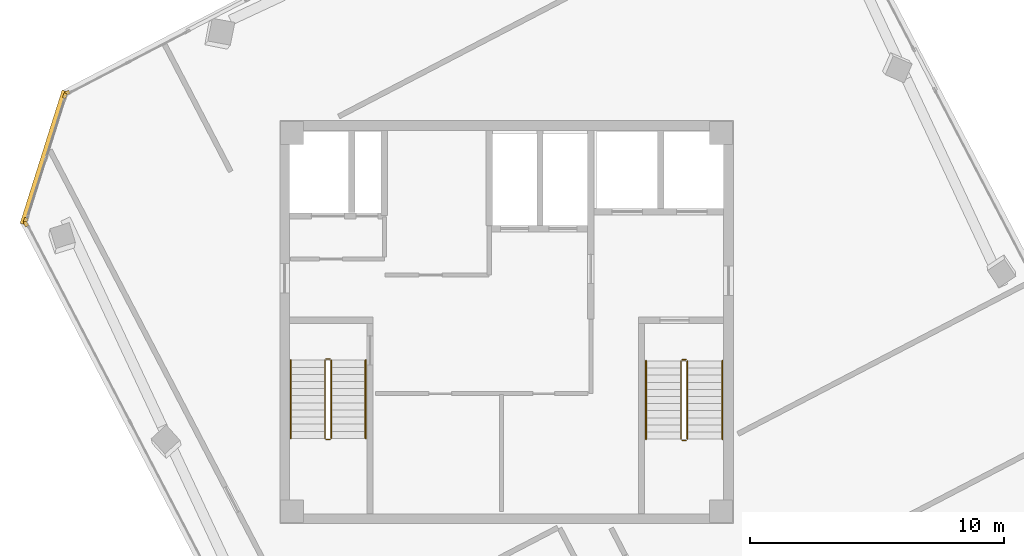
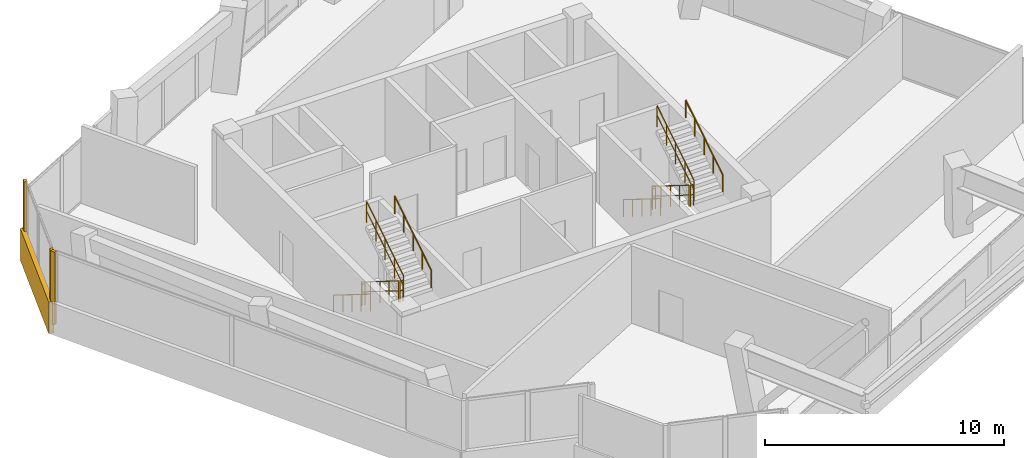
# One storey, part 15 of 16: 12 railings, 5 coverings.
"""IFC4 building model written with IfcOpenShell, lengths in metres."""

import ifcopenshell
import ifcopenshell.guid

model = None  # the IFC model being written
_history = None  # IfcOwnerHistory: only IFC2X3 demands one
_inside = {}  # id of a spatial element -> (the spatial element, [elements in it])
_under = {}  # id of a project, library or spatial element -> (it, [spatial elements below it])
_declared = {}  # id of a project -> (the project, [libraries it declares])
_typed = {}  # id of a type object -> (the type object, [elements of that type])
_made_of = {}  # id of a material, layer set ... -> (it, [elements and type objects made of it])


def new_model(schema):
    """Start an empty IFC model of exactly this schema.

    Asked for "IFC4X3", IfcOpenShell would pick the latest addendum, in which some entities
    have other attributes; the version numbers below select the first issue.
    IFC2X3 requires an IfcOwnerHistory on every rooted entity: one is made here for all.
    """
    global model, _history
    if schema == "IFC4X3":
        model = ifcopenshell.file(schema_version=(4, 3, 0, 0))
    else:
        model = ifcopenshell.file(schema=schema)
    _inside.clear()
    _under.clear()
    _declared.clear()
    _typed.clear()
    _made_of.clear()
    _history = None
    if model.schema == "IFC2X3":
        org = make("IfcOrganization", Name="unknown")
        user = make(
            "IfcPersonAndOrganization",
            ThePerson=make("IfcPerson", FamilyName="unknown"),
            TheOrganization=org,
        )
        app = make(
            "IfcApplication",
            ApplicationDeveloper=org,
            Version="unknown",
            ApplicationFullName="unknown",
            ApplicationIdentifier="unknown",
        )
        _history = make(
            "IfcOwnerHistory",
            OwningUser=user,
            OwningApplication=app,
            ChangeAction="ADDED",
            CreationDate=0,
        )
    return model


def make(cls, **values):
    """One entity of the class cls with the attributes given. An attribute that is None is left unset."""
    return model.create_entity(
        cls, **{name: value for name, value in values.items() if value is not None}
    )


def rooted(cls, **values):
    """An entity with a GlobalId (a new one), such as an element, a storey or a relation."""
    return make(cls, GlobalId=ifcopenshell.guid.new(), OwnerHistory=_history, **values)


def si_unit(unit_type, name, prefix=None):
    """IfcSIUnit, for example si_unit("LENGTHUNIT", "METRE", prefix="MILLI")."""
    return make("IfcSIUnit", UnitType=unit_type, Prefix=prefix, Name=name)


def assignment(units):
    """IfcUnitAssignment: the units of a project."""
    return None if units is None else make("IfcUnitAssignment", Units=units)


def point(xyz):
    """IfcCartesianPoint."""
    return None if xyz is None else make("IfcCartesianPoint", Coordinates=xyz)


def direction(xyz):
    """IfcDirection."""
    return None if xyz is None else make("IfcDirection", DirectionRatios=xyz)


def frame(location, z_axis=None, x_axis=None):
    """IfcAxis2Placement3D, a coordinate frame: its origin and axes. An axis left out is left unset."""
    return make(
        "IfcAxis2Placement3D",
        Location=point(location),
        Axis=direction(z_axis),
        RefDirection=direction(x_axis),
    )


def frame_2d(location, x_axis=None):
    """IfcAxis2Placement2D, a coordinate frame in the plane: its origin and x axis."""
    return make(
        "IfcAxis2Placement2D", Location=point(location), RefDirection=direction(x_axis)
    )


def origin():
    """The frame at (0, 0, 0) with its axes left unset."""
    return frame((0.0, 0.0, 0.0))


def origin_2d():
    """The frame at (0, 0) in the plane with its x axis left unset."""
    return frame_2d((0.0, 0.0))


def place(relative_to, where):
    """IfcLocalPlacement: puts the frame where relative to a parent placement (None: the world)."""
    return make(
        "IfcLocalPlacement", PlacementRelTo=relative_to, RelativePlacement=where
    )


def context(
    kind, dimensions, precision=None, world=None, true_north=None, identifier=None
):
    """IfcGeometricRepresentationContext, for example the 3D "Model" context."""
    return make(
        "IfcGeometricRepresentationContext",
        ContextIdentifier=identifier,
        ContextType=kind,
        CoordinateSpaceDimension=dimensions,
        Precision=precision,
        WorldCoordinateSystem=world,
        TrueNorth=true_north,
    )


def subcontext(parent, identifier, kind, view, scale=None):
    """IfcGeometricRepresentationSubContext, for example "Body" below "Model"."""
    return make(
        "IfcGeometricRepresentationSubContext",
        ContextIdentifier=identifier,
        ContextType=kind,
        ParentContext=parent,
        TargetScale=scale,
        TargetView=view,
    )


def project(units=None, contexts=None):
    """IfcProject with its units and contexts."""
    return rooted(
        "IfcProject",
        Name="project",
        RepresentationContexts=contexts,
        UnitsInContext=assignment(units),
    )


def spatial(cls, under=None, at=None, **own):
    """A site, building, storey or space (cls), placed at a placement, below another one or the project."""
    s = rooted(cls, ObjectPlacement=at, **own)
    if under is not None:
        _under.setdefault(under.id(), (under, []))[1].append(s)
    return s


def profile(cls, at=None, kind="AREA", **sizes):
    """A parametric profile (cls). Its sizes go by their IFC names, for example OverallWidth=200.0."""
    return make(cls, ProfileType=kind, Position=at, **sizes)


def rectangle(**sizes):
    """IfcRectangleProfileDef."""
    return profile("IfcRectangleProfileDef", **sizes)


def circle(**sizes):
    """IfcCircleProfileDef."""
    return profile("IfcCircleProfileDef", **sizes)


def extrude(swept, where, along, depth):
    """IfcExtrudedAreaSolid: the profile swept, set in the frame where, extruded along a direction by depth."""
    return make(
        "IfcExtrudedAreaSolid",
        SweptArea=swept,
        Position=where,
        ExtrudedDirection=direction(along),
        Depth=depth,
    )


def shape(context_of_items, identifier, shape_type, items):
    """IfcShapeRepresentation: the items that make up one representation, for example the "Body"."""
    return make(
        "IfcShapeRepresentation",
        ContextOfItems=context_of_items,
        RepresentationIdentifier=identifier,
        RepresentationType=shape_type,
        Items=items,
    )


def source(mapping_origin, context_of_items, identifier, shape_type, items):
    """IfcRepresentationMap: a shape defined once, which mapped items show again and again."""
    return make(
        "IfcRepresentationMap",
        MappingOrigin=mapping_origin,
        MappedRepresentation=shape(context_of_items, identifier, shape_type, items),
    )


def transform(
    local_origin,
    x_axis=None,
    y_axis=None,
    z_axis=None,
    scale=None,
    scale2=None,
    scale3=None,
    uniform=True,
):
    """IfcCartesianTransformationOperator3D, or its non-uniform kind. x_axis, y_axis, z_axis: its Axis1, 2, 3."""
    if uniform:
        return make(
            "IfcCartesianTransformationOperator3D",
            Axis1=direction(x_axis),
            Axis2=direction(y_axis),
            LocalOrigin=point(local_origin),
            Scale=scale,
            Axis3=direction(z_axis),
        )
    return make(
        "IfcCartesianTransformationOperator3DnonUniform",
        Axis1=direction(x_axis),
        Axis2=direction(y_axis),
        LocalOrigin=point(local_origin),
        Scale=scale,
        Axis3=direction(z_axis),
        Scale2=scale2,
        Scale3=scale3,
    )


def mapped(mapping_source, mapping_target):
    """IfcMappedItem: shows the shape of a source again, moved by a transform."""
    return make(
        "IfcMappedItem", MappingSource=mapping_source, MappingTarget=mapping_target
    )


def material(Name=None, Category=None):
    """IfcMaterial."""
    return make("IfcMaterial", Name=Name, Category=Category)


def layer(
    of_material, thickness, ventilated=None, Name=None, Category=None, Priority=None
):
    """IfcMaterialLayer: one layer of a wall or slab, of a material (None: an air gap)."""
    return make(
        "IfcMaterialLayer",
        Material=of_material,
        LayerThickness=thickness,
        IsVentilated=ventilated,
        Name=Name,
        Category=Category,
        Priority=Priority,
    )


def layer_set(layers, Name=None):
    """IfcMaterialLayerSet."""
    return make("IfcMaterialLayerSet", MaterialLayers=layers, LayerSetName=Name)


def made_of(thing, what):
    """Note that an element or type object is made of a material, layer set ...; save() writes the relation."""
    if what is not None:
        _made_of.setdefault(what.id(), (what, []))[1].append(thing)
    return thing


def type_object(cls, material=None, **own):
    """A type object (cls), such as IfcWallType, which elements share."""
    return made_of(rooted(cls, **own), material)


def element(
    cls,
    number,
    at=None,
    inside=None,
    cuts=None,
    type_object=None,
    material=None,
    context=None,
    identifier="Body",
    shape_type=None,
    held_by="IfcProductDefinitionShape",
    body=None,
    shapes=None,
    **own,
):
    """One element of the class cls, such as IfcWall. Its Tag is "e" and its number.

    at: its placement. inside: the storey or other place that contains it. cuts: it is an
    opening in that element (IfcRelVoidsElement). A single representation is given by context,
    identifier, shape_type and body (its items); several are given by shapes. held_by: the class
    of the entity that holds the representations. save() writes the other relations.
    """
    e = rooted(cls, Tag="e%d" % number, ObjectPlacement=at, **own)
    if body is not None:
        shapes = [shape(context, identifier, shape_type, body)]
    if shapes is not None:
        e.Representation = make(held_by, Representations=shapes)
    if inside is not None:
        _inside.setdefault(inside.id(), (inside, []))[1].append(e)
    if cuts is not None:
        rooted(
            "IfcRelVoidsElement", RelatingBuildingElement=cuts, RelatedOpeningElement=e
        )
    if type_object is not None:
        _typed.setdefault(type_object.id(), (type_object, []))[1].append(e)
    return made_of(e, material)


def aggregate(whole, parts):
    """IfcRelAggregates: a whole, such as a stair, and the parts it consists of."""
    return rooted("IfcRelAggregates", RelatingObject=whole, RelatedObjects=parts)


def save(model, path):
    """Write the relations noted so far, then the file.

    IfcRelAggregates (storeys below a building ...), IfcRelContainedInSpatialStructure (elements
    in a storey), IfcRelDefinesByType, IfcRelAssociatesMaterial and IfcRelDeclares: one each for
    every whole, place, type object, material and project.
    """
    for whole, parts in _under.values():
        aggregate(whole, parts)
    for where, things in _inside.values():
        rooted(
            "IfcRelContainedInSpatialStructure",
            RelatedElements=things,
            RelatingStructure=where,
        )
    for kind, things in _typed.values():
        rooted("IfcRelDefinesByType", RelatedObjects=things, RelatingType=kind)
    for what, things in _made_of.values():
        rooted("IfcRelAssociatesMaterial", RelatedObjects=things, RelatingMaterial=what)
    for by, libraries in _declared.values():
        rooted("IfcRelDeclares", RelatingContext=by, RelatedDefinitions=libraries)
    model.write(path)


model = new_model("IFC4")

# Units and contexts
model_context = context("Model", 3, precision=1e-05, world=origin(), true_north=direction((0.0, 1.0)))
body_context = subcontext(model_context, "Body", "Model", "MODEL_VIEW")
ifc_project = project(units=[si_unit("LENGTHUNIT", "METRE"), si_unit("AREAUNIT", "SQUARE_METRE"), si_unit("VOLUMEUNIT", "CUBIC_METRE"), si_unit("PLANEANGLEUNIT", "RADIAN"), si_unit("MASSUNIT", "GRAM", prefix="KILO")], contexts=[model_context])

# Site, building, storey
site_placement = place(None, origin())
site = spatial("IfcSite", under=ifc_project, at=site_placement, CompositionType="ELEMENT")
building_placement = place(site_placement, origin())
building = spatial("IfcBuilding", under=site, at=building_placement, Name="Torre Montelarca", CompositionType="ELEMENT")
storey_placement = place(building_placement, frame((0.0, 0.0, 336.60009765625)))
storey = spatial("IfcBuildingStorey", under=building, at=storey_placement, Name="L76", CompositionType="ELEMENT", Elevation=336.60009765625)

# Railings
ifc_material_1 = material(Name="Powder-coated steel ASTM A500 Grade C", Category="steel")
railing_type_1 = type_object("IfcRailingType", Name="RL-GUARD-1100", PredefinedType="BALUSTRADE", material=ifc_material_1)
railing_1_placement = place(storey_placement, frame((10.85009765625, 30.5, 0.1748046875)))
element("IfcRailing", 1, at=railing_1_placement, inside=storey, type_object=railing_type_1, Name="L76 ST1 stair guard 1", PredefinedType="BALUSTRADE", context=body_context, shape_type="SweptSolid", body=[
    extrude(circle(Radius=0.02392578125, at=origin_2d()), frame((0.0, 0.0, 1.076171875), z_axis=(0.0, -0.847998304005, 0.529998940003), x_axis=(1.0, 0.0, 0.0)), (0.0, 0.0, 1.0), 3.632080078125),
    extrude(circle(Radius=0.02099609375, at=origin_2d()), frame((0.0, 0.0, 0.572021484375), z_axis=(0.0, -0.847998304005, 0.529998940003), x_axis=(1.0, 0.0, 0.0)), (0.0, 0.0, 1.0), 3.632080078125),
    extrude(circle(Radius=0.02099609375, at=origin_2d()), origin(), (0.0, 0.0, 1.0), 1.052001953125),
    extrude(circle(Radius=0.02099609375, at=origin_2d()), frame((0.0, -0.77001953125, 0.481201171875)), (0.0, 0.0, 1.0), 1.052001953125),
    extrude(circle(Radius=0.02099609375, at=origin_2d()), frame((0.0, -1.5400390625, 0.96240234375)), (0.0, 0.0, 1.0), 1.052001953125),
    extrude(circle(Radius=0.02099609375, at=origin_2d()), frame((0.0, -2.31005859375, 1.44384765625)), (0.0, 0.0, 1.0), 1.052001953125),
    extrude(circle(Radius=0.02099609375, at=origin_2d()), frame((0.0, -3.080078125, 1.925048828125)), (0.0, 0.0, 1.0), 1.052001953125),
])
railing_2_placement = place(storey_placement, frame((10.89990234375, 27.3701171875, 2.099853515625)))
element("IfcRailing", 2, at=railing_2_placement, inside=storey, type_object=railing_type_1, Name="L76 ST1 stair guard 2", PredefinedType="BALUSTRADE", context=body_context, shape_type="SweptSolid", body=[
    extrude(circle(Radius=0.02392578125, at=origin_2d()), frame((0.0, 0.0, 1.076171875), z_axis=(1.0, 0.0, 0.0), x_axis=(0.0, 1.0, 0.0)), (0.0, 0.0, 1.0), 0.150146484375),
    extrude(circle(Radius=0.02099609375, at=origin_2d()), frame((0.0, 0.0, 0.572021484375), z_axis=(1.0, 0.0, 0.0), x_axis=(0.0, 1.0, 0.0)), (0.0, 0.0, 1.0), 0.150146484375),
    extrude(circle(Radius=0.02099609375, at=origin_2d()), origin(), (0.0, 0.0, 1.0), 1.052001953125),
    extrude(circle(Radius=0.02099609375, at=origin_2d()), frame((0.150146484375, 0.0, 0.0)), (0.0, 0.0, 1.0), 1.052001953125),
])
railing_3_placement = place(storey_placement, frame((11.10009765625, 27.419921875, 2.27490234375)))
element("IfcRailing", 3, at=railing_3_placement, inside=storey, type_object=railing_type_1, Name="L76 ST1 stair guard 3", PredefinedType="BALUSTRADE", context=body_context, shape_type="SweptSolid", body=[
    extrude(circle(Radius=0.02392578125, at=origin_2d()), frame((0.0, 0.0, 1.076171875), z_axis=(0.0, 0.847998304005, 0.529998940003), x_axis=(-1.0, 0.0, 0.0)), (0.0, 0.0, 1.0), 3.632080078125),
    extrude(circle(Radius=0.02099609375, at=origin_2d()), frame((0.0, 0.0, 0.572021484375), z_axis=(0.0, 0.847998304005, 0.529998940003), x_axis=(-1.0, 0.0, 0.0)), (0.0, 0.0, 1.0), 3.632080078125),
    extrude(circle(Radius=0.02099609375, at=origin_2d()), origin(), (0.0, 0.0, 1.0), 1.052001953125),
    extrude(circle(Radius=0.02099609375, at=origin_2d()), frame((0.0, 0.77001953125, 0.481201171875)), (0.0, 0.0, 1.0), 1.052001953125),
    extrude(circle(Radius=0.02099609375, at=origin_2d()), frame((0.0, 1.5400390625, 0.96240234375)), (0.0, 0.0, 1.0), 1.052001953125),
    extrude(circle(Radius=0.02099609375, at=origin_2d()), frame((0.0, 2.31005859375, 1.44384765625)), (0.0, 0.0, 1.0), 1.052001953125),
    extrude(circle(Radius=0.02099609375, at=origin_2d()), frame((0.0, 3.080078125, 1.925048828125)), (0.0, 0.0, 1.0), 1.052001953125),
])
railing_4_placement = place(storey_placement, frame((10.89990234375, 30.550048828125, 0.0)))
element("IfcRailing", 4, at=railing_4_placement, inside=storey, type_object=railing_type_1, Name="L76 ST1 stair guard 4", PredefinedType="BALUSTRADE", context=body_context, shape_type="SweptSolid", body=[
    extrude(circle(Radius=0.02392578125, at=origin_2d()), frame((0.0, 0.0, 1.076171875), z_axis=(1.0, 0.0, 0.0), x_axis=(0.0, 1.0, 0.0)), (0.0, 0.0, 1.0), 0.150146484375),
    extrude(circle(Radius=0.02099609375, at=origin_2d()), frame((0.0, 0.0, 0.572021484375), z_axis=(1.0, 0.0, 0.0), x_axis=(0.0, 1.0, 0.0)), (0.0, 0.0, 1.0), 0.150146484375),
    extrude(circle(Radius=0.02099609375, at=origin_2d()), origin(), (0.0, 0.0, 1.0), 1.052001953125),
    extrude(circle(Radius=0.02099609375, at=origin_2d()), frame((0.150146484375, 0.0, 0.0)), (0.0, 0.0, 1.0), 1.052001953125),
])
railing_5_placement = place(storey_placement, frame((24.8701171875, 30.469970703125, 0.1748046875)))
element("IfcRailing", 5, at=railing_5_placement, inside=storey, type_object=railing_type_1, Name="L76 ST2 stair guard 1", PredefinedType="BALUSTRADE", context=body_context, shape_type="SweptSolid", body=[
    extrude(circle(Radius=0.02392578125, at=origin_2d()), frame((0.0, 0.0, 1.076171875), z_axis=(0.0, -0.847998304005, 0.529998940003), x_axis=(1.0, 0.0, 0.0)), (0.0, 0.0, 1.0), 3.632080078125),
    extrude(circle(Radius=0.02099609375, at=origin_2d()), frame((0.0, 0.0, 0.572021484375), z_axis=(0.0, -0.847998304005, 0.529998940003), x_axis=(1.0, 0.0, 0.0)), (0.0, 0.0, 1.0), 3.632080078125),
    extrude(circle(Radius=0.02099609375, at=origin_2d()), origin(), (0.0, 0.0, 1.0), 1.052001953125),
    extrude(circle(Radius=0.02099609375, at=origin_2d()), frame((0.0, -0.77001953125, 0.481201171875)), (0.0, 0.0, 1.0), 1.052001953125),
    extrude(circle(Radius=0.02099609375, at=origin_2d()), frame((0.0, -1.5400390625, 0.96240234375)), (0.0, 0.0, 1.0), 1.052001953125),
    extrude(circle(Radius=0.02099609375, at=origin_2d()), frame((0.0, -2.31005859375, 1.44384765625)), (0.0, 0.0, 1.0), 1.052001953125),
    extrude(circle(Radius=0.02099609375, at=origin_2d()), frame((0.0, -3.080078125, 1.925048828125)), (0.0, 0.0, 1.0), 1.052001953125),
])
railing_6_placement = place(storey_placement, frame((24.919921875, 27.340087890625, 2.099853515625)))
element("IfcRailing", 6, at=railing_6_placement, inside=storey, type_object=railing_type_1, Name="L76 ST2 stair guard 2", PredefinedType="BALUSTRADE", context=body_context, shape_type="SweptSolid", body=[
    extrude(circle(Radius=0.02392578125, at=origin_2d()), frame((0.0, 0.0, 1.076171875), z_axis=(1.0, 0.0, 0.0), x_axis=(0.0, 1.0, 0.0)), (0.0, 0.0, 1.0), 0.150146484375),
    extrude(circle(Radius=0.02099609375, at=origin_2d()), frame((0.0, 0.0, 0.572021484375), z_axis=(1.0, 0.0, 0.0), x_axis=(0.0, 1.0, 0.0)), (0.0, 0.0, 1.0), 0.150146484375),
    extrude(circle(Radius=0.02099609375, at=origin_2d()), origin(), (0.0, 0.0, 1.0), 1.052001953125),
    extrude(circle(Radius=0.02099609375, at=origin_2d()), frame((0.150146484375, 0.0, 0.0)), (0.0, 0.0, 1.0), 1.052001953125),
])
railing_7_placement = place(storey_placement, frame((25.1201171875, 27.389892578125, 2.27490234375)))
element("IfcRailing", 7, at=railing_7_placement, inside=storey, type_object=railing_type_1, Name="L76 ST2 stair guard 3", PredefinedType="BALUSTRADE", context=body_context, shape_type="SweptSolid", body=[
    extrude(circle(Radius=0.02392578125, at=origin_2d()), frame((0.0, 0.0, 1.076171875), z_axis=(0.0, 0.847998304005, 0.529998940003), x_axis=(-1.0, 0.0, 0.0)), (0.0, 0.0, 1.0), 3.632080078125),
    extrude(circle(Radius=0.02099609375, at=origin_2d()), frame((0.0, 0.0, 0.572021484375), z_axis=(0.0, 0.847998304005, 0.529998940003), x_axis=(-1.0, 0.0, 0.0)), (0.0, 0.0, 1.0), 3.632080078125),
    extrude(circle(Radius=0.02099609375, at=origin_2d()), origin(), (0.0, 0.0, 1.0), 1.052001953125),
    extrude(circle(Radius=0.02099609375, at=origin_2d()), frame((0.0, 0.77001953125, 0.481201171875)), (0.0, 0.0, 1.0), 1.052001953125),
    extrude(circle(Radius=0.02099609375, at=origin_2d()), frame((0.0, 1.5400390625, 0.96240234375)), (0.0, 0.0, 1.0), 1.052001953125),
    extrude(circle(Radius=0.02099609375, at=origin_2d()), frame((0.0, 2.31005859375, 1.44384765625)), (0.0, 0.0, 1.0), 1.052001953125),
    extrude(circle(Radius=0.02099609375, at=origin_2d()), frame((0.0, 3.080078125, 1.925048828125)), (0.0, 0.0, 1.0), 1.052001953125),
])
railing_8_placement = place(storey_placement, frame((24.919921875, 30.52001953125, 0.0)))
element("IfcRailing", 8, at=railing_8_placement, inside=storey, type_object=railing_type_1, Name="L76 ST2 stair guard 4", PredefinedType="BALUSTRADE", context=body_context, shape_type="SweptSolid", body=[
    extrude(circle(Radius=0.02392578125, at=origin_2d()), frame((0.0, 0.0, 1.076171875), z_axis=(1.0, 0.0, 0.0), x_axis=(0.0, 1.0, 0.0)), (0.0, 0.0, 1.0), 0.150146484375),
    extrude(circle(Radius=0.02099609375, at=origin_2d()), frame((0.0, 0.0, 0.572021484375), z_axis=(1.0, 0.0, 0.0), x_axis=(0.0, 1.0, 0.0)), (0.0, 0.0, 1.0), 0.150146484375),
    extrude(circle(Radius=0.02099609375, at=origin_2d()), origin(), (0.0, 0.0, 1.0), 1.052001953125),
    extrude(circle(Radius=0.02099609375, at=origin_2d()), frame((0.150146484375, 0.0, 0.0)), (0.0, 0.0, 1.0), 1.052001953125),
])
ifc_material_2 = material(Name="Brushed stainless steel AISI 316", Category="steel")
railing_type_2 = type_object("IfcRailingType", Name="RL-HANDRAIL-900", PredefinedType="HANDRAIL", material=ifc_material_2)
railing_9_placement = place(storey_placement, frame((9.5, 30.5, 0.1748046875)))
element("IfcRailing", 9, at=railing_9_placement, inside=storey, type_object=railing_type_2, Name="L76 ST1 stair handrail 1", PredefinedType="HANDRAIL", context=body_context, shape_type="SweptSolid", body=[
    extrude(circle(Radius=0.02392578125, at=origin_2d()), frame((0.0, 0.0, 0.8759765625), z_axis=(0.0, -0.847998304005, 0.529998940003), x_axis=(1.0, 0.0, 0.0)), (0.0, 0.0, 1.0), 3.632080078125),
    extrude(circle(Radius=0.02099609375, at=origin_2d()), origin(), (0.0, 0.0, 1.0), 0.851806640625),
    extrude(circle(Radius=0.02099609375, at=origin_2d()), frame((0.0, -0.77001953125, 0.481201171875)), (0.0, 0.0, 1.0), 0.851806640625),
    extrude(circle(Radius=0.02099609375, at=origin_2d()), frame((0.0, -1.5400390625, 0.96240234375)), (0.0, 0.0, 1.0), 0.851806640625),
    extrude(circle(Radius=0.02099609375, at=origin_2d()), frame((0.0, -2.31005859375, 1.44384765625)), (0.0, 0.0, 1.0), 0.851806640625),
    extrude(circle(Radius=0.02099609375, at=origin_2d()), frame((0.0, -3.080078125, 1.925048828125)), (0.0, 0.0, 1.0), 0.851806640625),
])
railing_10_placement = place(storey_placement, frame((12.449951171875, 27.419921875, 2.27490234375)))
element("IfcRailing", 10, at=railing_10_placement, inside=storey, type_object=railing_type_2, Name="L76 ST1 stair handrail 2", PredefinedType="HANDRAIL", context=body_context, shape_type="SweptSolid", body=[
    extrude(circle(Radius=0.02392578125, at=origin_2d()), frame((0.0, 0.0, 0.8759765625), z_axis=(0.0, 0.847998304005, 0.529998940003), x_axis=(-1.0, 0.0, 0.0)), (0.0, 0.0, 1.0), 3.632080078125),
    extrude(circle(Radius=0.02099609375, at=origin_2d()), origin(), (0.0, 0.0, 1.0), 0.851806640625),
    extrude(circle(Radius=0.02099609375, at=origin_2d()), frame((0.0, 0.77001953125, 0.481201171875)), (0.0, 0.0, 1.0), 0.851806640625),
    extrude(circle(Radius=0.02099609375, at=origin_2d()), frame((0.0, 1.5400390625, 0.96240234375)), (0.0, 0.0, 1.0), 0.851806640625),
    extrude(circle(Radius=0.02099609375, at=origin_2d()), frame((0.0, 2.31005859375, 1.44384765625)), (0.0, 0.0, 1.0), 0.851806640625),
    extrude(circle(Radius=0.02099609375, at=origin_2d()), frame((0.0, 3.080078125, 1.925048828125)), (0.0, 0.0, 1.0), 0.851806640625),
])
railing_11_placement = place(storey_placement, frame((23.489990234375, 30.469970703125, 0.1748046875)))
element("IfcRailing", 11, at=railing_11_placement, inside=storey, type_object=railing_type_2, Name="L76 ST2 stair handrail 1", PredefinedType="HANDRAIL", context=body_context, shape_type="SweptSolid", body=[
    extrude(circle(Radius=0.02392578125, at=origin_2d()), frame((0.0, 0.0, 0.8759765625), z_axis=(0.0, -0.847998304005, 0.529998940003), x_axis=(1.0, 0.0, 0.0)), (0.0, 0.0, 1.0), 3.632080078125),
    extrude(circle(Radius=0.02099609375, at=origin_2d()), origin(), (0.0, 0.0, 1.0), 0.851806640625),
    extrude(circle(Radius=0.02099609375, at=origin_2d()), frame((0.0, -0.77001953125, 0.481201171875)), (0.0, 0.0, 1.0), 0.851806640625),
    extrude(circle(Radius=0.02099609375, at=origin_2d()), frame((0.0, -1.5400390625, 0.96240234375)), (0.0, 0.0, 1.0), 0.851806640625),
    extrude(circle(Radius=0.02099609375, at=origin_2d()), frame((0.0, -2.31005859375, 1.44384765625)), (0.0, 0.0, 1.0), 0.851806640625),
    extrude(circle(Radius=0.02099609375, at=origin_2d()), frame((0.0, -3.080078125, 1.925048828125)), (0.0, 0.0, 1.0), 0.851806640625),
])
railing_12_placement = place(storey_placement, frame((26.5, 27.389892578125, 2.27490234375)))
element("IfcRailing", 12, at=railing_12_placement, inside=storey, type_object=railing_type_2, Name="L76 ST2 stair handrail 2", PredefinedType="HANDRAIL", context=body_context, shape_type="SweptSolid", body=[
    extrude(circle(Radius=0.02392578125, at=origin_2d()), frame((0.0, 0.0, 0.8759765625), z_axis=(0.0, 0.847998304005, 0.529998940003), x_axis=(-1.0, 0.0, 0.0)), (0.0, 0.0, 1.0), 3.632080078125),
    extrude(circle(Radius=0.02099609375, at=origin_2d()), origin(), (0.0, 0.0, 1.0), 0.851806640625),
    extrude(circle(Radius=0.02099609375, at=origin_2d()), frame((0.0, 0.77001953125, 0.481201171875)), (0.0, 0.0, 1.0), 0.851806640625),
    extrude(circle(Radius=0.02099609375, at=origin_2d()), frame((0.0, 1.5400390625, 0.96240234375)), (0.0, 0.0, 1.0), 0.851806640625),
    extrude(circle(Radius=0.02099609375, at=origin_2d()), frame((0.0, 2.31005859375, 1.44384765625)), (0.0, 0.0, 1.0), 0.851806640625),
    extrude(circle(Radius=0.02099609375, at=origin_2d()), frame((0.0, 3.080078125, 1.925048828125)), (0.0, 0.0, 1.0), 0.851806640625),
])

# Coverings
ifc_material_3 = material(Name="Bush-hammered warm white precast concrete C45/55", Category="concrete")
ifc_layer = layer(ifc_material_3, 0.139892578125, Name="Bush-hammered warm white precast concrete C45/55", Category="concrete")
ifc_layer_set = layer_set([ifc_layer], Name="Bush-hammered warm white precast concrete C45/55")
covering_type = type_object("IfcCoveringType", Name="COV-TRAY-CLAD", PredefinedType="CLADDING", material=ifc_layer_set)
shared_shape_1 = source(origin(), body_context, "Body", "SweptSolid", [
    extrude(rectangle(XDim=0.199951171875, YDim=0.139892578125, at=origin_2d()), origin(), (0.0, 0.0, 1.0), 3.719970703125),
])
for number, where, z_axis, x_axis, name in (
    (13, (-0.9287109375, 35.864501953125, 0.0), (0.0, 0.0, 1.0), (0.461748613235, -0.887010833178, 0.0), "L76 Architectural Column Pier Cladding E01-1"),
    (14, (0.60498046875, 40.913330078125, 0.0), (0.0, 0.0, 1.0), (-0.30070080585, -0.953718525227, 0.0), "L76 Architectural Column Pier Cladding E11-1"),
    (15, (-0.941162109375, 36.009033203125, 0.0), (0.0, 0.0, 1.0), (-0.30070080585, -0.953718525227, 0.0), "L76 Architectural Column Pier Cladding E11-2"),
):
    element("IfcCovering", number, at=place(storey_placement, frame(where, z_axis=z_axis, x_axis=x_axis)), inside=storey, type_object=covering_type, Name=name, PredefinedType="CLADDING", context=body_context, shape_type="MappedRepresentation", body=[
        mapped(shared_shape_1, transform((0.0, 0.0, 0.0), scale=1.0)),
    ])
shared_shape_2 = source(origin(), body_context, "Body", "SweptSolid", [
    extrude(rectangle(XDim=5.493896484375, YDim=0.219970703125, at=origin_2d()), origin(), (0.0, 0.0, 1.0), 1.6201171875),
])
covering_1_placement = place(storey_placement, frame((-0.225341796875, 38.479248046875, -0.4501953125), z_axis=(0.0, 0.0, 1.0), x_axis=(-0.300705799504, -0.953716950748, 0.0)))
element("IfcCovering", 16, at=covering_1_placement, inside=storey, type_object=covering_type, Name="L76 Architectural White Spandrel Tray Band TRYBOT-11", PredefinedType="CLADDING", context=body_context, shape_type="MappedRepresentation", body=[
    mapped(shared_shape_2, transform((0.0, 0.0, 0.0), scale=1.0)),
])
shared_shape_3 = source(origin(), body_context, "Body", "SweptSolid", [
    extrude(rectangle(XDim=0.199951171875, YDim=0.139892578125, at=origin_2d()), origin(), (0.0, 0.0, 1.0), 3.27490234375),
])
covering_2_placement = place(storey_placement, frame((0.698486328125, 41.024658203125, 0.0), z_axis=(0.0, 0.0, 1.0), x_axis=(-0.887010833178, -0.461748613235, 0.0)))
element("IfcCovering", 17, at=covering_2_placement, inside=storey, type_object=covering_type, Name="L76 Architectural Column Pier Cladding E10-5", PredefinedType="CLADDING", context=body_context, shape_type="MappedRepresentation", body=[
    mapped(shared_shape_3, transform((0.0, 0.0, 0.0), scale=1.0)),
])

save(model, "model.ifc")
